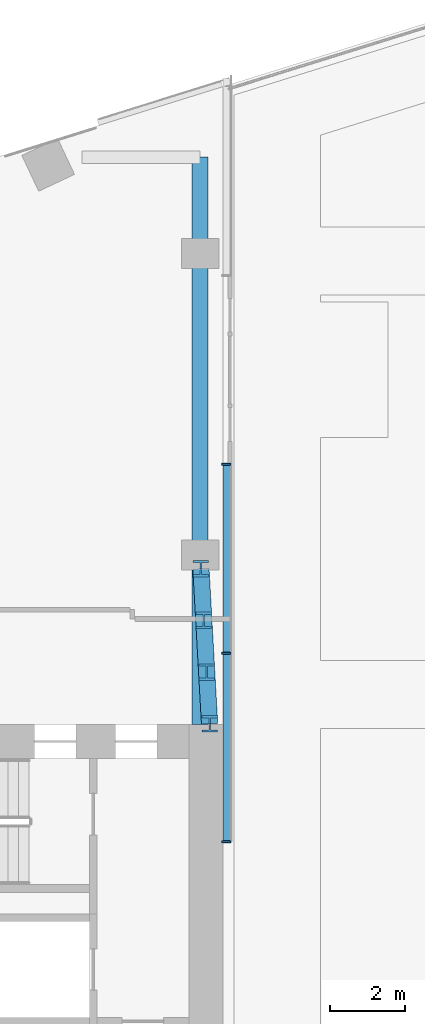
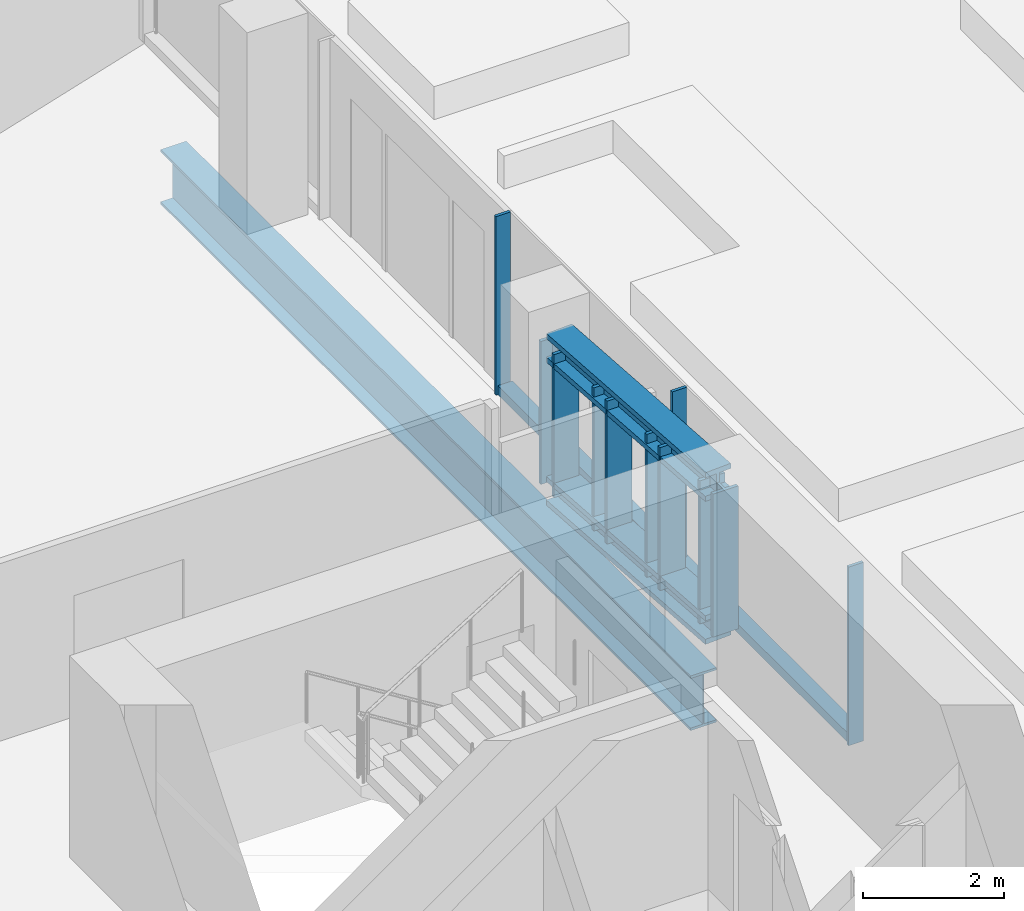
# One storey, part 6 of 26: 10 members, 1 beam, 1 element without a shape of its own.
"""IFC4 building model written with IfcOpenShell, lengths in metres."""

from ifc_helpers import new_model, si_unit, direction, frame, origin, origin_2d, place, context, subcontext, project, spatial, rectangle, i_section, extrude, material, material_profile, profile_set, type_object, element, aggregate, save


model = new_model("IFC4")

# Units and contexts
model_context = context("Model", 3, precision=1e-05, world=origin(), true_north=direction((0.0, 1.0)))
body_context = subcontext(model_context, "Body", "Model", "MODEL_VIEW")
ifc_project = project(units=[si_unit("LENGTHUNIT", "METRE"), si_unit("AREAUNIT", "SQUARE_METRE"), si_unit("VOLUMEUNIT", "CUBIC_METRE"), si_unit("PLANEANGLEUNIT", "RADIAN"), si_unit("MASSUNIT", "GRAM", prefix="KILO")], contexts=[model_context])

# Site, building, storey
site_placement = place(None, origin())
site = spatial("IfcSite", under=ifc_project, at=site_placement, CompositionType="ELEMENT")
building_placement = place(site_placement, origin())
building = spatial("IfcBuilding", under=site, at=building_placement, Name="Orlundy Tower", CompositionType="ELEMENT")
storey_placement = place(building_placement, frame((0.0, 0.0, 253.5)))
storey = spatial("IfcBuildingStorey", under=building, at=storey_placement, Name="L67", CompositionType="ELEMENT", Elevation=253.5)

# Curtain wall, members
ifc_material_1 = material(Name="Aluminium bronze anodised", Category="aluminium")
curtain_wall_type = type_object("IfcCurtainWallType", Name="CW1 wall", PredefinedType="NOTDEFINED", material=ifc_material_1)
curtain_wall_placement = place(storey_placement, origin())
curtain_wall = element("IfcCurtainWall", 1, at=curtain_wall_placement, inside=storey, type_object=curtain_wall_type, Name="CW1 run 04", PredefinedType="NOTDEFINED")
ifc_material_2 = material(Name="Aluminium bronze anodised", Category="aluminium")
ifc_material_profile_1 = material_profile(ifc_material_2, rectangle(XDim=0.239990234375, YDim=0.050048828125, at=origin_2d()), Name="CW6 mullion 50x240")
ifc_profile_set_1 = profile_set([ifc_material_profile_1], Name="Aluminium bronze anodised")
member_type_1 = type_object("IfcMemberType", Name="CW6 mullion 50x240", PredefinedType="MULLION", material=ifc_profile_set_1)
member_1_placement = place(storey_placement, frame((-7.909912109375, 18.908203125, 0.0), z_axis=(0.0, 0.0, 1.0), x_axis=(1.0, 0.0, 0.0)))
member_1 = element("IfcMember", 2, at=member_1_placement, type_object=member_type_1, Name="CW6 mullion 18", PredefinedType="MULLION", context=body_context, shape_type="SweptSolid", body=[
    extrude(rectangle(XDim=0.239990234375, YDim=0.050048828125, at=origin_2d()), origin(), (0.0, 0.0, 1.0), 3.10009765625),
])
member_2_placement = place(storey_placement, frame((-7.909912109375, 13.897216796875, 0.0), z_axis=(0.0, 0.0, 1.0), x_axis=(1.0, 0.0, 0.0)))
member_2 = element("IfcMember", 3, at=member_2_placement, type_object=member_type_1, Name="CW6 mullion 19", PredefinedType="MULLION", context=body_context, shape_type="SweptSolid", body=[
    extrude(rectangle(XDim=0.239990234375, YDim=0.050048828125, at=origin_2d()), origin(), (0.0, 0.0, 1.0), 3.10009765625),
])
member_3_placement = place(storey_placement, frame((-7.909912109375, 8.88623046875, 0.0), z_axis=(0.0, 0.0, 1.0), x_axis=(1.0, 0.0, 0.0)))
member_3 = element("IfcMember", 4, at=member_3_placement, type_object=member_type_1, Name="CW6 mullion 20", PredefinedType="MULLION", context=body_context, shape_type="SweptSolid", body=[
    extrude(rectangle(XDim=0.239990234375, YDim=0.050048828125, at=origin_2d()), origin(), (0.0, 0.0, 1.0), 3.10009765625),
])
ifc_material_3 = material(Name="Aluminium bronze anodised", Category="aluminium")
ifc_material_profile_2 = material_profile(ifc_material_3, rectangle(XDim=0.239990234375, YDim=0.159912109375, at=origin_2d()), Name="CW6 transom 240x160")
ifc_profile_set_2 = profile_set([ifc_material_profile_2], Name="Aluminium bronze anodised")
member_type_2 = type_object("IfcMemberType", Name="CW6 transom 240x160", PredefinedType="USERDEFINED", material=ifc_profile_set_2)
member_4_placement = place(storey_placement, frame((-7.8798828125, 18.883056640625, 0.080078125), z_axis=(0.0, -1.0, 0.0), x_axis=(1.0, 0.0, 0.0)))
member_4 = element("IfcMember", 5, at=member_4_placement, type_object=member_type_2, Name="CW6 transom", ObjectType="TRANSOM", PredefinedType="USERDEFINED", context=body_context, shape_type="SweptSolid", body=[
    extrude(rectangle(XDim=0.239990234375, YDim=0.159912109375, at=origin_2d()), origin(), (0.0, 0.0, 1.0), 9.9716796875),
])
aggregate(curtain_wall, [member_1, member_2, member_3, member_4])

# Members
ifc_material_4 = material(Name="Steel ASTM A992 Gr 50", Category="steel")
ifc_material_profile_3 = material_profile(ifc_material_4, i_section(OverallWidth=0.43212890625, OverallDepth=0.497802734375, WebThickness=0.0556640625, FlangeThickness=0.0888671875, at=origin_2d()), Name="W14X500")
ifc_profile_set_3 = profile_set([ifc_material_profile_3], Name="Steel ASTM A992 Gr 50")
member_type_3 = type_object("IfcMemberType", Name="PORTAL EDGE TRUSS chord W14X500", PredefinedType="CHORD", material=ifc_profile_set_3)
for number, where, z_axis, x_axis, name in (
    (6, (-8.35009765625, 12.02001953125, 0.284912109375), (-0.05566660133, 0.998449412588, 0.0), (-0.998449412588, -0.05566660133, 0.0), "Portal edge truss bottom chord PE-WN"),
    (7, (-8.35009765625, 12.02001953125, 2.765380859375), (-0.05566660133, 0.998449412588, 0.0), (-0.998449412588, -0.05566660133, 0.0), "Portal edge truss top chord PE-WN"),
):
    element("IfcMember", number, at=place(storey_placement, frame(where, z_axis=z_axis, x_axis=x_axis)), inside=storey, type_object=member_type_3, Name=name, PredefinedType="CHORD", context=body_context, shape_type="SweptSolid", body=[
        extrude(i_section(OverallWidth=0.43212890625, OverallDepth=0.497802734375, WebThickness=0.0556640625, FlangeThickness=0.0888671875, at=origin_2d()), origin(), (0.0, 0.0, 1.0), 4.126953125),
    ])
ifc_material_5 = material(Name="Steel ASTM A992 Gr 50", Category="steel")
ifc_material_profile_4 = material_profile(ifc_material_5, i_section(OverallWidth=0.412109375, OverallDepth=0.434814453125, WebThickness=0.035888671875, FlangeThickness=0.057373046875, at=origin_2d()), Name="W14X311")
ifc_profile_set_4 = profile_set([ifc_material_profile_4], Name="Steel ASTM A992 Gr 50")
member_type_4 = type_object("IfcMemberType", Name="PORTAL EDGE TRUSS post W14X311", PredefinedType="POST", material=ifc_profile_set_4)
for number, where, z_axis, x_axis, name in (
    (8, (-8.35009765625, 12.02001953125, 0.284912109375), (0.0, 0.0, 1.0), (1.0, 0.0, 0.0), "Portal edge truss post PE-WN-0"),
    (9, (-8.426513671875, 13.3935546875, 0.284912109375), (0.0, 0.0, 1.0), (1.0, 0.0, 0.0), "Portal edge truss post PE-WN-1"),
    (10, (-8.50341796875, 14.76708984375, 0.284912109375), (0.0, 0.0, 1.0), (1.0, 0.0, 0.0), "Portal edge truss post PE-WN-2"),
    (11, (-8.579833984375, 16.140625, 0.284912109375), (0.0, 0.0, 1.0), (1.0, 0.0, 0.0), "Portal edge truss post PE-WN-3"),
):
    element("IfcMember", number, at=place(storey_placement, frame(where, z_axis=z_axis, x_axis=x_axis)), inside=storey, type_object=member_type_4, Name=name, PredefinedType="POST", context=body_context, shape_type="SweptSolid", body=[
        extrude(i_section(OverallWidth=0.412109375, OverallDepth=0.434814453125, WebThickness=0.035888671875, FlangeThickness=0.057373046875, at=origin_2d()), origin(), (0.0, 0.0, 1.0), 2.48046875),
    ])

# Beam
ifc_material_6 = material(Name="Steel ASTM A992 Gr 50", Category="steel")
ifc_material_profile_5 = material_profile(ifc_material_6, i_section(OverallWidth=0.423095703125, OverallDepth=0.947265625, WebThickness=0.02392578125, FlangeThickness=0.042724609375, at=origin_2d()), Name="W36X302")
ifc_profile_set_5 = profile_set([ifc_material_profile_5], Name="Steel ASTM A992 Gr 50")
beam_type = type_object("IfcBeamType", Name="TRANSFER GIRDER beam W36X302", PredefinedType="BEAM", material=ifc_profile_set_5)
beam_placement = place(storey_placement, frame((-8.60009765625, 12.0, -0.8935546875), z_axis=(0.0, 1.0, 0.0), x_axis=(-1.0, 0.0, 0.0)))
element("IfcBeam", 12, at=beam_placement, inside=storey, type_object=beam_type, Name="Transfer girder slot edge W4", PredefinedType="BEAM", context=body_context, shape_type="SweptSolid", body=[
    extrude(i_section(OverallWidth=0.423095703125, OverallDepth=0.947265625, WebThickness=0.02392578125, FlangeThickness=0.042724609375, at=origin_2d()), origin(), (0.0, 0.0, 1.0), 15.06103515625),
])

save(model, "model.ifc")
